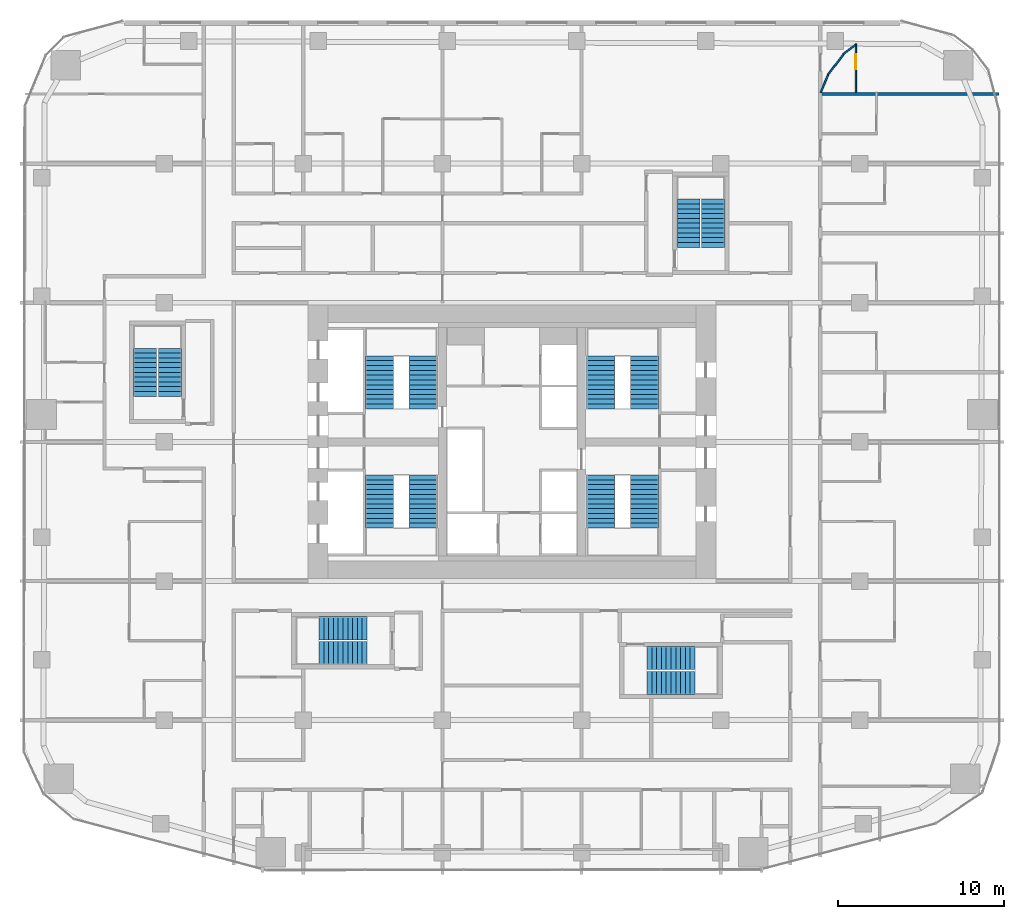
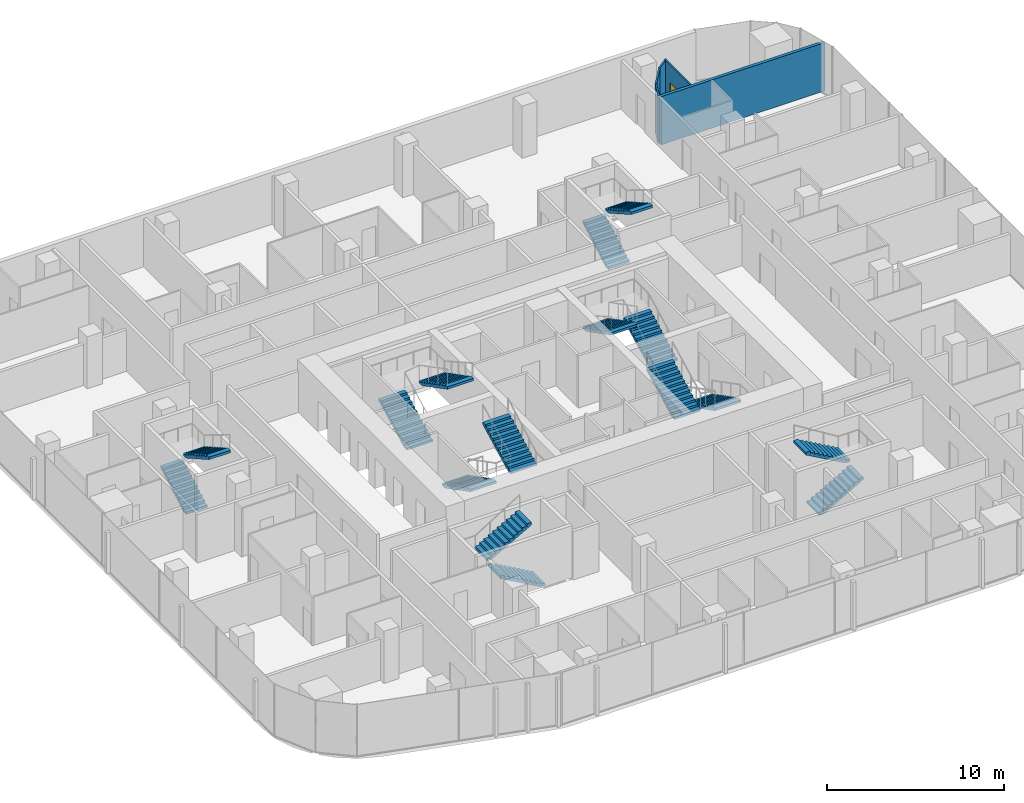
# One storey, part 23 of 25: 16 stair flights, 5 walls, 1 door, 1 opening, 8 elements without a shape of their own.
"""IFC4 building model written with IfcOpenShell, lengths in metres."""

from ifc_helpers import new_model, si_unit, direction, frame, frame_2d, origin, place, context, subcontext, project, spatial, polyline, rectangle, outline, extrude, material, layer, layer_set, type_object, element, fill, aggregate, save


model = new_model("IFC4")

# Units and contexts
model_context = context("Model", 3, precision=1e-05, world=origin(), true_north=direction((0.0, 1.0)))
body_context = subcontext(model_context, "Body", "Model", "MODEL_VIEW")
ifc_project = project(units=[si_unit("LENGTHUNIT", "METRE"), si_unit("AREAUNIT", "SQUARE_METRE"), si_unit("VOLUMEUNIT", "CUBIC_METRE"), si_unit("PLANEANGLEUNIT", "RADIAN"), si_unit("MASSUNIT", "GRAM", prefix="KILO")], contexts=[model_context])

# Site, building, storey
site_placement = place(None, origin())
site = spatial("IfcSite", under=ifc_project, at=site_placement, CompositionType="ELEMENT")
building_placement = place(site_placement, origin())
building = spatial("IfcBuilding", under=site, at=building_placement, Name="Marenta Gate Hotel Tower", CompositionType="ELEMENT")
storey_placement = place(building_placement, frame((0.0, 0.0, 50.89990234375)))
storey = spatial("IfcBuildingStorey", under=building, at=storey_placement, Name="L10", CompositionType="ELEMENT", Elevation=50.89990234375)

# Wall, opening, door
ifc_material_1 = material(Name="Gypsum board on steel stud", Category="steel")
ifc_layer_1 = layer(ifc_material_1, 0.10009765625)
ifc_layer_set_1 = layer_set([ifc_layer_1], Name="Gypsum board on steel stud")
wall_type_1 = type_object("IfcWallType", Name="Room partition 100", PredefinedType="PARTITIONING", material=ifc_layer_set_1)
wall_1_placement = place(storey_placement, frame((20.757080078125, 29.5, 0.0), z_axis=(0.0, 0.0, 1.0), x_axis=(0.0, 1.0, 0.0)))
wall_1 = element("IfcWall", 1, at=wall_1_placement, inside=storey, type_object=wall_type_1, Name="L10-PTN-W010", PredefinedType="PARTITIONING", context=body_context, shape_type="SweptSolid", body=[
    extrude(rectangle(XDim=2.93505859375, YDim=0.10009765625, at=frame_2d((1.467529296875, 0.0))), origin(), (0.0, 0.0, 1.0), 3.340087890625),
])
opening_placement = place(wall_1_placement, frame((1.39990234375, 0.0, 0.0)))
opening = element("IfcOpeningElement", 2, at=opening_placement, cuts=wall_1, Name="Opening G03-27", PredefinedType="OPENING", context=body_context, shape_type="SweptSolid", body=[
    extrude(rectangle(XDim=0.89990234375, YDim=2.10009765625, at=frame_2d((0.449951171875, 1.050048828125))), frame((0.0, 0.050048828125, 0.0), z_axis=(0.0, -1.0, 0.0), x_axis=(1.0, 0.0, 0.0)), (0.0, 0.0, 1.0), 0.10009765625),
])
ifc_material_2 = material(Name="Timber door leaf", Category="wood")
door_type = type_object("IfcDoorType", Name="Guest bathroom door 900x2100", OperationType="NOTDEFINED", PredefinedType="DOOR", material=ifc_material_2)
door_placement = place(opening_placement, origin())
door = element("IfcDoor", 3, at=door_placement, inside=storey, type_object=door_type, Name="L10-PD-D027", OperationType="SINGLE_SWING_RIGHT", OverallHeight=2.10009765625, OverallWidth=0.89990234375, PredefinedType="DOOR", context=body_context, shape_type="SweptSolid", body=[
    extrude(rectangle(XDim=0.89990234375, YDim=2.10009765625, at=frame_2d((0.449951171875, 1.050048828125))), frame((0.0, 0.02490234375, 0.0), z_axis=(0.0, -1.0, 0.0), x_axis=(1.0, 0.0, 0.0)), (0.0, 0.0, 1.0), 0.050048828125),
])
fill(opening, door)

# Walls
wall_2_placement = place(storey_placement, frame((18.637939453125, 29.491943359375, 0.0), z_axis=(0.0, 0.0, 1.0), x_axis=(0.382714431757, 0.923866691533, 0.0)))
element("IfcWall", 4, at=wall_2_placement, inside=storey, type_object=wall_type_1, Name="L10-PTN-W044", PredefinedType="PARTITIONING", context=body_context, shape_type="SweptSolid", body=[
    extrude(rectangle(XDim=1.1494140625, YDim=0.10009765625, at=frame_2d((0.57470703125, 0.0))), origin(), (0.0, 0.0, 1.0), 3.340087890625),
])
wall_3_placement = place(storey_placement, frame((19.06689453125, 30.56005859375, 0.0), z_axis=(0.0, 0.0, 1.0), x_axis=(0.608519892166, 0.793538619626, 0.0)))
element("IfcWall", 5, at=wall_3_placement, inside=storey, type_object=wall_type_1, Name="L10-PTN-W065", PredefinedType="PARTITIONING", context=body_context, shape_type="SweptSolid", body=[
    extrude(rectangle(XDim=1.56640625, YDim=0.10009765625, at=frame_2d((0.783203125, 0.0))), origin(), (0.0, 0.0, 1.0), 3.340087890625),
])
wall_4_placement = place(storey_placement, frame((20.010009765625, 31.81298828125, 0.0), z_axis=(0.0, 0.0, 1.0), x_axis=(0.793641646693, 0.608385516457, 0.0)))
element("IfcWall", 6, at=wall_4_placement, inside=storey, type_object=wall_type_1, Name="L10-PTN-W092", PredefinedType="PARTITIONING", context=body_context, shape_type="SweptSolid", body=[
    extrude(rectangle(XDim=0.890869140625, YDim=0.10009765625, at=frame_2d((0.4453125, 0.0))), origin(), (0.0, 0.0, 1.0), 3.340087890625),
])
ifc_material_3 = material(Name="Gypsum board on steel stud", Category="steel")
ifc_layer_2 = layer(ifc_material_3, 0.199951171875)
ifc_layer_set_2 = layer_set([ifc_layer_2], Name="Gypsum board on steel stud")
wall_type_2 = type_object("IfcWallType", Name="Room party wall 200 EI 60", PredefinedType="PARTITIONING", material=ifc_layer_set_2)
wall_5_placement = place(storey_placement, frame((18.699951171875, 29.39990234375, 0.0), z_axis=(0.0, 0.0, 1.0), x_axis=(1.0, 0.0, 0.0)))
element("IfcWall", 7, at=wall_5_placement, inside=storey, type_object=wall_type_2, Name="L10-PTN-W135", PredefinedType="PARTITIONING", context=body_context, shape_type="SweptSolid", body=[
    extrude(rectangle(XDim=10.693115234375, YDim=0.199951171875, at=frame_2d((5.3466796875, 0.0))), origin(), (0.0, 0.0, 1.0), 3.340087890625),
])

# Stair, stair flights
ifc_material_4 = material(Name="Concrete C40", Category="concrete")
stair_type_1 = type_object("IfcStairType", Name="Core exit stair 1700 wide", PredefinedType="HALF_TURN_STAIR", material=ifc_material_4)
stair_1_placement = place(storey_placement, origin())
stair_1 = element("IfcStair", 8, at=stair_1_placement, inside=storey, type_object=stair_type_1, Name="Exit stair 1", PredefinedType="HALF_TURN_STAIR")
ifc_material_5 = material(Name="Concrete C40", Category="concrete")
stair_flight_type_1 = type_object("IfcStairFlightType", Name="Core stair flight 1700 riser 150.0 going 290", PredefinedType="STRAIGHT", material=ifc_material_5)
stair_flight_1_placement = place(storey_placement, frame((-8.0, 6.39990234375, 0.0), z_axis=(0.0, 0.0, 1.0), x_axis=(0.0, -1.0, 0.0)))
stair_flight_1 = element("IfcStairFlight", 9, at=stair_flight_1_placement, type_object=stair_flight_type_1, Name="ST1 flight 1", NumberOfRisers=12, NumberOfTreads=11, PredefinedType="STRAIGHT", RiserHeight=0.15, TreadLength=0.29, context=body_context, shape_type="SweptSolid", body=[
    extrude(outline(polyline([(0.0, 0.0), (0.0, 0.14990234375), (0.2900390625, 0.14990234375), (0.2900390625, 0.300048828125), (0.580078125, 0.300048828125), (0.580078125, 0.449951171875), (0.8701171875, 0.449951171875), (0.8701171875, 0.60009765625), (1.159912109375, 0.60009765625), (1.159912109375, 0.75), (1.449951171875, 0.75), (1.449951171875, 0.89990234375), (1.739990234375, 0.89990234375), (1.739990234375, 1.050048828125), (2.030029296875, 1.050048828125), (2.030029296875, 1.199951171875), (2.320068359375, 1.199951171875), (2.320068359375, 1.35009765625), (2.610107421875, 1.35009765625), (2.610107421875, 1.5), (2.89990234375, 1.5), (2.89990234375, 1.64990234375), (3.18994140625, 1.64990234375), (3.18994140625, 1.800048828125), (3.18994140625, 1.481201171875), (0.326171875, 0.0), (0.0, 0.0)])), frame((0.0, 0.85009765625, 0.0), z_axis=(0.0, -1.0, 0.0), x_axis=(1.0, 0.0, 0.0)), (0.0, 0.0, 1.0), 1.699951171875),
])
stair_flight_2_placement = place(storey_placement, frame((-5.35009765625, 3.2099609375, 1.800048828125), z_axis=(0.0, 0.0, 1.0), x_axis=(0.0, 1.0, 0.0)))
stair_flight_2 = element("IfcStairFlight", 10, at=stair_flight_2_placement, type_object=stair_flight_type_1, Name="ST1 flight 2", NumberOfRisers=12, NumberOfTreads=11, PredefinedType="STRAIGHT", RiserHeight=0.15, TreadLength=0.29, context=body_context, shape_type="SweptSolid", body=[
    extrude(outline(polyline([(0.0, 0.0), (0.0, 0.14990234375), (0.2900390625, 0.14990234375), (0.2900390625, 0.300048828125), (0.580078125, 0.300048828125), (0.580078125, 0.449951171875), (0.8701171875, 0.449951171875), (0.8701171875, 0.60009765625), (1.159912109375, 0.60009765625), (1.159912109375, 0.75), (1.449951171875, 0.75), (1.449951171875, 0.89990234375), (1.739990234375, 0.89990234375), (1.739990234375, 1.050048828125), (2.030029296875, 1.050048828125), (2.030029296875, 1.199951171875), (2.320068359375, 1.199951171875), (2.320068359375, 1.35009765625), (2.610107421875, 1.35009765625), (2.610107421875, 1.5), (2.89990234375, 1.5), (2.89990234375, 1.64990234375), (3.18994140625, 1.64990234375), (3.18994140625, 1.800048828125), (3.18994140625, 1.481201171875), (0.326171875, 0.0), (0.0, 0.0)])), frame((0.0, 0.85009765625, 0.0), z_axis=(0.0, -1.0, 0.0), x_axis=(1.0, 0.0, 0.0)), (0.0, 0.0, 1.0), 1.699951171875),
])
aggregate(stair_1, [stair_flight_1, stair_flight_2])

stair_2_placement = place(storey_placement, origin())
stair_2 = element("IfcStair", 11, at=stair_2_placement, inside=storey, type_object=stair_type_1, Name="Exit stair 2", PredefinedType="HALF_TURN_STAIR")
stair_flight_3_placement = place(storey_placement, frame((-8.0, 10.39990234375, 0.0), z_axis=(0.0, 0.0, 1.0), x_axis=(0.0, 1.0, 0.0)))
stair_flight_3 = element("IfcStairFlight", 12, at=stair_flight_3_placement, type_object=stair_flight_type_1, Name="ST2 flight 1", NumberOfRisers=12, NumberOfTreads=11, PredefinedType="STRAIGHT", RiserHeight=0.15, TreadLength=0.29, context=body_context, shape_type="SweptSolid", body=[
    extrude(outline(polyline([(0.0, 0.0), (0.0, 0.14990234375), (0.2900390625, 0.14990234375), (0.2900390625, 0.300048828125), (0.580078125, 0.300048828125), (0.580078125, 0.449951171875), (0.8701171875, 0.449951171875), (0.8701171875, 0.60009765625), (1.159912109375, 0.60009765625), (1.159912109375, 0.75), (1.449951171875, 0.75), (1.449951171875, 0.89990234375), (1.739990234375, 0.89990234375), (1.739990234375, 1.050048828125), (2.030029296875, 1.050048828125), (2.030029296875, 1.199951171875), (2.320068359375, 1.199951171875), (2.320068359375, 1.35009765625), (2.610107421875, 1.35009765625), (2.610107421875, 1.5), (2.89990234375, 1.5), (2.89990234375, 1.64990234375), (3.18994140625, 1.64990234375), (3.18994140625, 1.800048828125), (3.18994140625, 1.481201171875), (0.326171875, 0.0), (0.0, 0.0)])), frame((0.0, 0.85009765625, 0.0), z_axis=(0.0, -1.0, 0.0), x_axis=(1.0, 0.0, 0.0)), (0.0, 0.0, 1.0), 1.699951171875),
])
stair_flight_4_placement = place(storey_placement, frame((-5.35009765625, 13.590087890625, 1.800048828125), z_axis=(0.0, 0.0, 1.0), x_axis=(0.0, -1.0, 0.0)))
stair_flight_4 = element("IfcStairFlight", 13, at=stair_flight_4_placement, type_object=stair_flight_type_1, Name="ST2 flight 2", NumberOfRisers=12, NumberOfTreads=11, PredefinedType="STRAIGHT", RiserHeight=0.15, TreadLength=0.29, context=body_context, shape_type="SweptSolid", body=[
    extrude(outline(polyline([(0.0, 0.0), (0.0, 0.14990234375), (0.2900390625, 0.14990234375), (0.2900390625, 0.300048828125), (0.580078125, 0.300048828125), (0.580078125, 0.449951171875), (0.8701171875, 0.449951171875), (0.8701171875, 0.60009765625), (1.159912109375, 0.60009765625), (1.159912109375, 0.75), (1.449951171875, 0.75), (1.449951171875, 0.89990234375), (1.739990234375, 0.89990234375), (1.739990234375, 1.050048828125), (2.030029296875, 1.050048828125), (2.030029296875, 1.199951171875), (2.320068359375, 1.199951171875), (2.320068359375, 1.35009765625), (2.610107421875, 1.35009765625), (2.610107421875, 1.5), (2.89990234375, 1.5), (2.89990234375, 1.64990234375), (3.18994140625, 1.64990234375), (3.18994140625, 1.800048828125), (3.18994140625, 1.481201171875), (0.326171875, 0.0), (0.0, 0.0)])), frame((0.0, 0.85009765625, 0.0), z_axis=(0.0, -1.0, 0.0), x_axis=(1.0, 0.0, 0.0)), (0.0, 0.0, 1.0), 1.699951171875),
])
aggregate(stair_2, [stair_flight_3, stair_flight_4])

stair_3_placement = place(storey_placement, origin())
stair_3 = element("IfcStair", 14, at=stair_3_placement, inside=storey, type_object=stair_type_1, Name="Exit stair 3", PredefinedType="HALF_TURN_STAIR")
stair_flight_5_placement = place(storey_placement, frame((8.0, 6.39990234375, 0.0), z_axis=(0.0, 0.0, 1.0), x_axis=(0.0, -1.0, 0.0)))
stair_flight_5 = element("IfcStairFlight", 15, at=stair_flight_5_placement, type_object=stair_flight_type_1, Name="ST3 flight 1", NumberOfRisers=12, NumberOfTreads=11, PredefinedType="STRAIGHT", RiserHeight=0.15, TreadLength=0.29, context=body_context, shape_type="SweptSolid", body=[
    extrude(outline(polyline([(0.0, 0.0), (0.0, 0.14990234375), (0.2900390625, 0.14990234375), (0.2900390625, 0.300048828125), (0.580078125, 0.300048828125), (0.580078125, 0.449951171875), (0.8701171875, 0.449951171875), (0.8701171875, 0.60009765625), (1.159912109375, 0.60009765625), (1.159912109375, 0.75), (1.449951171875, 0.75), (1.449951171875, 0.89990234375), (1.739990234375, 0.89990234375), (1.739990234375, 1.050048828125), (2.030029296875, 1.050048828125), (2.030029296875, 1.199951171875), (2.320068359375, 1.199951171875), (2.320068359375, 1.35009765625), (2.610107421875, 1.35009765625), (2.610107421875, 1.5), (2.89990234375, 1.5), (2.89990234375, 1.64990234375), (3.18994140625, 1.64990234375), (3.18994140625, 1.800048828125), (3.18994140625, 1.481201171875), (0.326171875, 0.0), (0.0, 0.0)])), frame((0.0, 0.85009765625, 0.0), z_axis=(0.0, -1.0, 0.0), x_axis=(1.0, 0.0, 0.0)), (0.0, 0.0, 1.0), 1.699951171875),
])
stair_flight_6_placement = place(storey_placement, frame((5.35009765625, 3.2099609375, 1.800048828125), z_axis=(0.0, 0.0, 1.0), x_axis=(0.0, 1.0, 0.0)))
stair_flight_6 = element("IfcStairFlight", 16, at=stair_flight_6_placement, type_object=stair_flight_type_1, Name="ST3 flight 2", NumberOfRisers=12, NumberOfTreads=11, PredefinedType="STRAIGHT", RiserHeight=0.15, TreadLength=0.29, context=body_context, shape_type="SweptSolid", body=[
    extrude(outline(polyline([(0.0, 0.0), (0.0, 0.14990234375), (0.2900390625, 0.14990234375), (0.2900390625, 0.300048828125), (0.580078125, 0.300048828125), (0.580078125, 0.449951171875), (0.8701171875, 0.449951171875), (0.8701171875, 0.60009765625), (1.159912109375, 0.60009765625), (1.159912109375, 0.75), (1.449951171875, 0.75), (1.449951171875, 0.89990234375), (1.739990234375, 0.89990234375), (1.739990234375, 1.050048828125), (2.030029296875, 1.050048828125), (2.030029296875, 1.199951171875), (2.320068359375, 1.199951171875), (2.320068359375, 1.35009765625), (2.610107421875, 1.35009765625), (2.610107421875, 1.5), (2.89990234375, 1.5), (2.89990234375, 1.64990234375), (3.18994140625, 1.64990234375), (3.18994140625, 1.800048828125), (3.18994140625, 1.481201171875), (0.326171875, 0.0), (0.0, 0.0)])), frame((0.0, 0.85009765625, 0.0), z_axis=(0.0, -1.0, 0.0), x_axis=(1.0, 0.0, 0.0)), (0.0, 0.0, 1.0), 1.699951171875),
])
aggregate(stair_3, [stair_flight_5, stair_flight_6])

stair_4_placement = place(storey_placement, origin())
stair_4 = element("IfcStair", 17, at=stair_4_placement, inside=storey, type_object=stair_type_1, Name="Exit stair 4", PredefinedType="HALF_TURN_STAIR")
stair_flight_7_placement = place(storey_placement, frame((8.0, 10.39990234375, 0.0), z_axis=(0.0, 0.0, 1.0), x_axis=(0.0, 1.0, 0.0)))
stair_flight_7 = element("IfcStairFlight", 18, at=stair_flight_7_placement, type_object=stair_flight_type_1, Name="ST4 flight 1", NumberOfRisers=12, NumberOfTreads=11, PredefinedType="STRAIGHT", RiserHeight=0.15, TreadLength=0.29, context=body_context, shape_type="SweptSolid", body=[
    extrude(outline(polyline([(0.0, 0.0), (0.0, 0.14990234375), (0.2900390625, 0.14990234375), (0.2900390625, 0.300048828125), (0.580078125, 0.300048828125), (0.580078125, 0.449951171875), (0.8701171875, 0.449951171875), (0.8701171875, 0.60009765625), (1.159912109375, 0.60009765625), (1.159912109375, 0.75), (1.449951171875, 0.75), (1.449951171875, 0.89990234375), (1.739990234375, 0.89990234375), (1.739990234375, 1.050048828125), (2.030029296875, 1.050048828125), (2.030029296875, 1.199951171875), (2.320068359375, 1.199951171875), (2.320068359375, 1.35009765625), (2.610107421875, 1.35009765625), (2.610107421875, 1.5), (2.89990234375, 1.5), (2.89990234375, 1.64990234375), (3.18994140625, 1.64990234375), (3.18994140625, 1.800048828125), (3.18994140625, 1.481201171875), (0.326171875, 0.0), (0.0, 0.0)])), frame((0.0, 0.85009765625, 0.0), z_axis=(0.0, -1.0, 0.0), x_axis=(1.0, 0.0, 0.0)), (0.0, 0.0, 1.0), 1.699951171875),
])
stair_flight_8_placement = place(storey_placement, frame((5.35009765625, 13.590087890625, 1.800048828125), z_axis=(0.0, 0.0, 1.0), x_axis=(0.0, -1.0, 0.0)))
stair_flight_8 = element("IfcStairFlight", 19, at=stair_flight_8_placement, type_object=stair_flight_type_1, Name="ST4 flight 2", NumberOfRisers=12, NumberOfTreads=11, PredefinedType="STRAIGHT", RiserHeight=0.15, TreadLength=0.29, context=body_context, shape_type="SweptSolid", body=[
    extrude(outline(polyline([(0.0, 0.0), (0.0, 0.14990234375), (0.2900390625, 0.14990234375), (0.2900390625, 0.300048828125), (0.580078125, 0.300048828125), (0.580078125, 0.449951171875), (0.8701171875, 0.449951171875), (0.8701171875, 0.60009765625), (1.159912109375, 0.60009765625), (1.159912109375, 0.75), (1.449951171875, 0.75), (1.449951171875, 0.89990234375), (1.739990234375, 0.89990234375), (1.739990234375, 1.050048828125), (2.030029296875, 1.050048828125), (2.030029296875, 1.199951171875), (2.320068359375, 1.199951171875), (2.320068359375, 1.35009765625), (2.610107421875, 1.35009765625), (2.610107421875, 1.5), (2.89990234375, 1.5), (2.89990234375, 1.64990234375), (3.18994140625, 1.64990234375), (3.18994140625, 1.800048828125), (3.18994140625, 1.481201171875), (0.326171875, 0.0), (0.0, 0.0)])), frame((0.0, 0.85009765625, 0.0), z_axis=(0.0, -1.0, 0.0), x_axis=(1.0, 0.0, 0.0)), (0.0, 0.0, 1.0), 1.699951171875),
])
aggregate(stair_4, [stair_flight_7, stair_flight_8])

ifc_material_6 = material(Name="Concrete C40", Category="concrete")
stair_type_2 = type_object("IfcStairType", Name="Remote exit stair 1400 wide", PredefinedType="HALF_TURN_STAIR", material=ifc_material_6)
stair_5_placement = place(storey_placement, origin())
stair_5 = element("IfcStair", 20, at=stair_5_placement, inside=storey, type_object=stair_type_2, Name="Exit stair RS-Z1-1", PredefinedType="HALF_TURN_STAIR")
ifc_material_7 = material(Name="Concrete C40", Category="concrete")
stair_flight_type_2 = type_object("IfcStairFlightType", Name="Remote stair flight 1400 riser 163.6 going 290", PredefinedType="STRAIGHT", material=ifc_material_7)
stair_flight_9_placement = place(storey_placement, frame((8.14990234375, -6.14990234375, 0.0), z_axis=(0.0, 0.0, 1.0), x_axis=(1.0, 0.0, 0.0)))
stair_flight_9 = element("IfcStairFlight", 21, at=stair_flight_9_placement, type_object=stair_flight_type_2, Name="RS-Z1-1 flight 1", NumberOfRisers=11, NumberOfTreads=10, PredefinedType="STRAIGHT", RiserHeight=0.163636, TreadLength=0.29, context=body_context, shape_type="SweptSolid", body=[
    extrude(outline(polyline([(0.0, 0.0), (0.0, 0.16357421875), (0.2900390625, 0.16357421875), (0.2900390625, 0.327392578125), (0.580078125, 0.327392578125), (0.580078125, 0.490966796875), (0.8701171875, 0.490966796875), (0.8701171875, 0.654541015625), (1.159912109375, 0.654541015625), (1.159912109375, 0.818115234375), (1.449951171875, 0.818115234375), (1.449951171875, 0.98193359375), (1.739990234375, 0.98193359375), (1.739990234375, 1.1455078125), (2.030029296875, 1.1455078125), (2.030029296875, 1.30908203125), (2.320068359375, 1.30908203125), (2.320068359375, 1.47265625), (2.610107421875, 1.47265625), (2.610107421875, 1.636474609375), (2.89990234375, 1.636474609375), (2.89990234375, 1.800048828125), (2.89990234375, 1.46435546875), (0.304931640625, 0.0), (0.0, 0.0)])), frame((0.0, 0.699951171875, 0.0), z_axis=(0.0, -1.0, 0.0), x_axis=(1.0, 0.0, 0.0)), (0.0, 0.0, 1.0), 1.39990234375),
])
stair_flight_10_placement = place(storey_placement, frame((11.050048828125, -4.64990234375, 1.800048828125), z_axis=(0.0, 0.0, 1.0), x_axis=(-1.0, 0.0, 0.0)))
stair_flight_10 = element("IfcStairFlight", 22, at=stair_flight_10_placement, type_object=stair_flight_type_2, Name="RS-Z1-1 flight 2", NumberOfRisers=11, NumberOfTreads=10, PredefinedType="STRAIGHT", RiserHeight=0.163636, TreadLength=0.29, context=body_context, shape_type="SweptSolid", body=[
    extrude(outline(polyline([(0.0, 0.0), (0.0, 0.16357421875), (0.2900390625, 0.16357421875), (0.2900390625, 0.327392578125), (0.580078125, 0.327392578125), (0.580078125, 0.490966796875), (0.8701171875, 0.490966796875), (0.8701171875, 0.654541015625), (1.159912109375, 0.654541015625), (1.159912109375, 0.818115234375), (1.449951171875, 0.818115234375), (1.449951171875, 0.98193359375), (1.739990234375, 0.98193359375), (1.739990234375, 1.1455078125), (2.030029296875, 1.1455078125), (2.030029296875, 1.30908203125), (2.320068359375, 1.30908203125), (2.320068359375, 1.47265625), (2.610107421875, 1.47265625), (2.610107421875, 1.636474609375), (2.89990234375, 1.636474609375), (2.89990234375, 1.800048828125), (2.89990234375, 1.46435546875), (0.304931640625, 0.0), (0.0, 0.0)])), frame((0.0, 0.699951171875, 0.0), z_axis=(0.0, -1.0, 0.0), x_axis=(1.0, 0.0, 0.0)), (0.0, 0.0, 1.0), 1.39990234375),
])
aggregate(stair_5, [stair_flight_9, stair_flight_10])

stair_6_placement = place(storey_placement, origin())
stair_6 = element("IfcStair", 23, at=stair_6_placement, inside=storey, type_object=stair_type_2, Name="Exit stair RS-Z1-2", PredefinedType="HALF_TURN_STAIR")
stair_flight_11_placement = place(storey_placement, frame((-8.75, -4.35009765625, 0.0), z_axis=(0.0, 0.0, 1.0), x_axis=(-1.0, 0.0, 0.0)))
stair_flight_11 = element("IfcStairFlight", 24, at=stair_flight_11_placement, type_object=stair_flight_type_2, Name="RS-Z1-2 flight 1", NumberOfRisers=11, NumberOfTreads=10, PredefinedType="STRAIGHT", RiserHeight=0.163636, TreadLength=0.29, context=body_context, shape_type="SweptSolid", body=[
    extrude(outline(polyline([(0.0, 0.0), (0.0, 0.16357421875), (0.2900390625, 0.16357421875), (0.2900390625, 0.327392578125), (0.580078125, 0.327392578125), (0.580078125, 0.490966796875), (0.8701171875, 0.490966796875), (0.8701171875, 0.654541015625), (1.159912109375, 0.654541015625), (1.159912109375, 0.818115234375), (1.449951171875, 0.818115234375), (1.449951171875, 0.98193359375), (1.739990234375, 0.98193359375), (1.739990234375, 1.1455078125), (2.030029296875, 1.1455078125), (2.030029296875, 1.30908203125), (2.320068359375, 1.30908203125), (2.320068359375, 1.47265625), (2.610107421875, 1.47265625), (2.610107421875, 1.636474609375), (2.89990234375, 1.636474609375), (2.89990234375, 1.800048828125), (2.89990234375, 1.46435546875), (0.304931640625, 0.0), (0.0, 0.0)])), frame((0.0, 0.699951171875, 0.0), z_axis=(0.0, -1.0, 0.0), x_axis=(1.0, 0.0, 0.0)), (0.0, 0.0, 1.0), 1.39990234375),
])
stair_flight_12_placement = place(storey_placement, frame((-11.64990234375, -2.85009765625, 1.800048828125), z_axis=(0.0, 0.0, 1.0), x_axis=(1.0, 0.0, 0.0)))
stair_flight_12 = element("IfcStairFlight", 25, at=stair_flight_12_placement, type_object=stair_flight_type_2, Name="RS-Z1-2 flight 2", NumberOfRisers=11, NumberOfTreads=10, PredefinedType="STRAIGHT", RiserHeight=0.163636, TreadLength=0.29, context=body_context, shape_type="SweptSolid", body=[
    extrude(outline(polyline([(0.0, 0.0), (0.0, 0.16357421875), (0.2900390625, 0.16357421875), (0.2900390625, 0.327392578125), (0.580078125, 0.327392578125), (0.580078125, 0.490966796875), (0.8701171875, 0.490966796875), (0.8701171875, 0.654541015625), (1.159912109375, 0.654541015625), (1.159912109375, 0.818115234375), (1.449951171875, 0.818115234375), (1.449951171875, 0.98193359375), (1.739990234375, 0.98193359375), (1.739990234375, 1.1455078125), (2.030029296875, 1.1455078125), (2.030029296875, 1.30908203125), (2.320068359375, 1.30908203125), (2.320068359375, 1.47265625), (2.610107421875, 1.47265625), (2.610107421875, 1.636474609375), (2.89990234375, 1.636474609375), (2.89990234375, 1.800048828125), (2.89990234375, 1.46435546875), (0.304931640625, 0.0), (0.0, 0.0)])), frame((0.0, 0.699951171875, 0.0), z_axis=(0.0, -1.0, 0.0), x_axis=(1.0, 0.0, 0.0)), (0.0, 0.0, 1.0), 1.39990234375),
])
aggregate(stair_6, [stair_flight_11, stair_flight_12])

stair_7_placement = place(storey_placement, origin())
stair_7 = element("IfcStair", 26, at=stair_7_placement, inside=storey, type_object=stair_type_2, Name="Exit stair RS-Z1-3", PredefinedType="HALF_TURN_STAIR")
stair_flight_13_placement = place(storey_placement, frame((-22.14990234375, 11.14990234375, 0.0), z_axis=(0.0, 0.0, 1.0), x_axis=(0.0, 1.0, 0.0)))
stair_flight_13 = element("IfcStairFlight", 27, at=stair_flight_13_placement, type_object=stair_flight_type_2, Name="RS-Z1-3 flight 1", NumberOfRisers=11, NumberOfTreads=10, PredefinedType="STRAIGHT", RiserHeight=0.163636, TreadLength=0.29, context=body_context, shape_type="SweptSolid", body=[
    extrude(outline(polyline([(0.0, 0.0), (0.0, 0.16357421875), (0.2900390625, 0.16357421875), (0.2900390625, 0.327392578125), (0.580078125, 0.327392578125), (0.580078125, 0.490966796875), (0.8701171875, 0.490966796875), (0.8701171875, 0.654541015625), (1.159912109375, 0.654541015625), (1.159912109375, 0.818115234375), (1.449951171875, 0.818115234375), (1.449951171875, 0.98193359375), (1.739990234375, 0.98193359375), (1.739990234375, 1.1455078125), (2.030029296875, 1.1455078125), (2.030029296875, 1.30908203125), (2.320068359375, 1.30908203125), (2.320068359375, 1.47265625), (2.610107421875, 1.47265625), (2.610107421875, 1.636474609375), (2.89990234375, 1.636474609375), (2.89990234375, 1.800048828125), (2.89990234375, 1.46435546875), (0.304931640625, 0.0), (0.0, 0.0)])), frame((0.0, 0.699951171875, 0.0), z_axis=(0.0, -1.0, 0.0), x_axis=(1.0, 0.0, 0.0)), (0.0, 0.0, 1.0), 1.39990234375),
])
stair_flight_14_placement = place(storey_placement, frame((-20.64990234375, 14.050048828125, 1.800048828125), z_axis=(0.0, 0.0, 1.0), x_axis=(0.0, -1.0, 0.0)))
stair_flight_14 = element("IfcStairFlight", 28, at=stair_flight_14_placement, type_object=stair_flight_type_2, Name="RS-Z1-3 flight 2", NumberOfRisers=11, NumberOfTreads=10, PredefinedType="STRAIGHT", RiserHeight=0.163636, TreadLength=0.29, context=body_context, shape_type="SweptSolid", body=[
    extrude(outline(polyline([(0.0, 0.0), (0.0, 0.16357421875), (0.2900390625, 0.16357421875), (0.2900390625, 0.327392578125), (0.580078125, 0.327392578125), (0.580078125, 0.490966796875), (0.8701171875, 0.490966796875), (0.8701171875, 0.654541015625), (1.159912109375, 0.654541015625), (1.159912109375, 0.818115234375), (1.449951171875, 0.818115234375), (1.449951171875, 0.98193359375), (1.739990234375, 0.98193359375), (1.739990234375, 1.1455078125), (2.030029296875, 1.1455078125), (2.030029296875, 1.30908203125), (2.320068359375, 1.30908203125), (2.320068359375, 1.47265625), (2.610107421875, 1.47265625), (2.610107421875, 1.636474609375), (2.89990234375, 1.636474609375), (2.89990234375, 1.800048828125), (2.89990234375, 1.46435546875), (0.304931640625, 0.0), (0.0, 0.0)])), frame((0.0, 0.699951171875, 0.0), z_axis=(0.0, -1.0, 0.0), x_axis=(1.0, 0.0, 0.0)), (0.0, 0.0, 1.0), 1.39990234375),
])
aggregate(stair_7, [stair_flight_13, stair_flight_14])

stair_8_placement = place(storey_placement, origin())
stair_8 = element("IfcStair", 29, at=stair_8_placement, inside=storey, type_object=stair_type_2, Name="Exit stair RS-Z1-4", PredefinedType="HALF_TURN_STAIR")
stair_flight_15_placement = place(storey_placement, frame((10.64990234375, 20.14990234375, 0.0), z_axis=(0.0, 0.0, 1.0), x_axis=(0.0, 1.0, 0.0)))
stair_flight_15 = element("IfcStairFlight", 30, at=stair_flight_15_placement, type_object=stair_flight_type_2, Name="RS-Z1-4 flight 1", NumberOfRisers=11, NumberOfTreads=10, PredefinedType="STRAIGHT", RiserHeight=0.163636, TreadLength=0.29, context=body_context, shape_type="SweptSolid", body=[
    extrude(outline(polyline([(0.0, 0.0), (0.0, 0.16357421875), (0.2900390625, 0.16357421875), (0.2900390625, 0.327392578125), (0.580078125, 0.327392578125), (0.580078125, 0.490966796875), (0.8701171875, 0.490966796875), (0.8701171875, 0.654541015625), (1.159912109375, 0.654541015625), (1.159912109375, 0.818115234375), (1.449951171875, 0.818115234375), (1.449951171875, 0.98193359375), (1.739990234375, 0.98193359375), (1.739990234375, 1.1455078125), (2.030029296875, 1.1455078125), (2.030029296875, 1.30908203125), (2.320068359375, 1.30908203125), (2.320068359375, 1.47265625), (2.610107421875, 1.47265625), (2.610107421875, 1.636474609375), (2.89990234375, 1.636474609375), (2.89990234375, 1.800048828125), (2.89990234375, 1.46435546875), (0.304931640625, 0.0), (0.0, 0.0)])), frame((0.0, 0.699951171875, 0.0), z_axis=(0.0, -1.0, 0.0), x_axis=(1.0, 0.0, 0.0)), (0.0, 0.0, 1.0), 1.39990234375),
])
stair_flight_16_placement = place(storey_placement, frame((12.14990234375, 23.050048828125, 1.800048828125), z_axis=(0.0, 0.0, 1.0), x_axis=(0.0, -1.0, 0.0)))
stair_flight_16 = element("IfcStairFlight", 31, at=stair_flight_16_placement, type_object=stair_flight_type_2, Name="RS-Z1-4 flight 2", NumberOfRisers=11, NumberOfTreads=10, PredefinedType="STRAIGHT", RiserHeight=0.163636, TreadLength=0.29, context=body_context, shape_type="SweptSolid", body=[
    extrude(outline(polyline([(0.0, 0.0), (0.0, 0.16357421875), (0.2900390625, 0.16357421875), (0.2900390625, 0.327392578125), (0.580078125, 0.327392578125), (0.580078125, 0.490966796875), (0.8701171875, 0.490966796875), (0.8701171875, 0.654541015625), (1.159912109375, 0.654541015625), (1.159912109375, 0.818115234375), (1.449951171875, 0.818115234375), (1.449951171875, 0.98193359375), (1.739990234375, 0.98193359375), (1.739990234375, 1.1455078125), (2.030029296875, 1.1455078125), (2.030029296875, 1.30908203125), (2.320068359375, 1.30908203125), (2.320068359375, 1.47265625), (2.610107421875, 1.47265625), (2.610107421875, 1.636474609375), (2.89990234375, 1.636474609375), (2.89990234375, 1.800048828125), (2.89990234375, 1.46435546875), (0.304931640625, 0.0), (0.0, 0.0)])), frame((0.0, 0.699951171875, 0.0), z_axis=(0.0, -1.0, 0.0), x_axis=(1.0, 0.0, 0.0)), (0.0, 0.0, 1.0), 1.39990234375),
])
aggregate(stair_8, [stair_flight_15, stair_flight_16])

save(model, "model.ifc")
